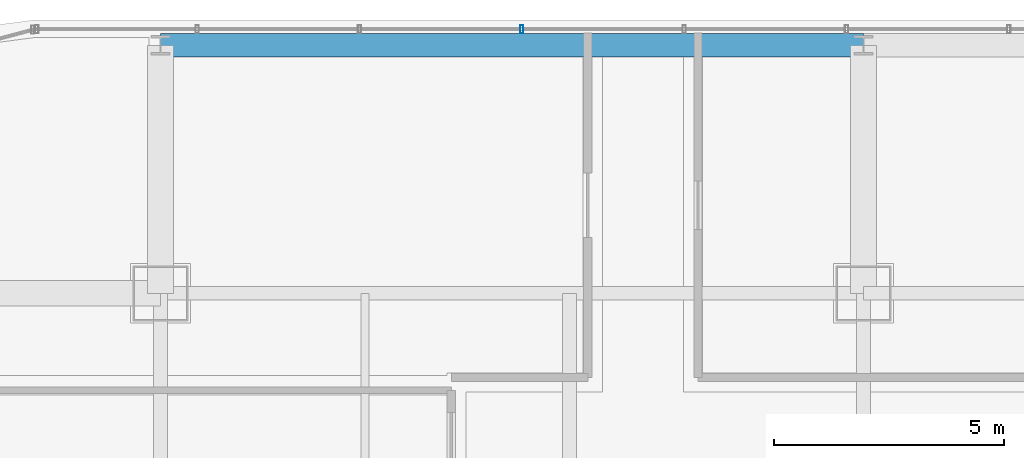
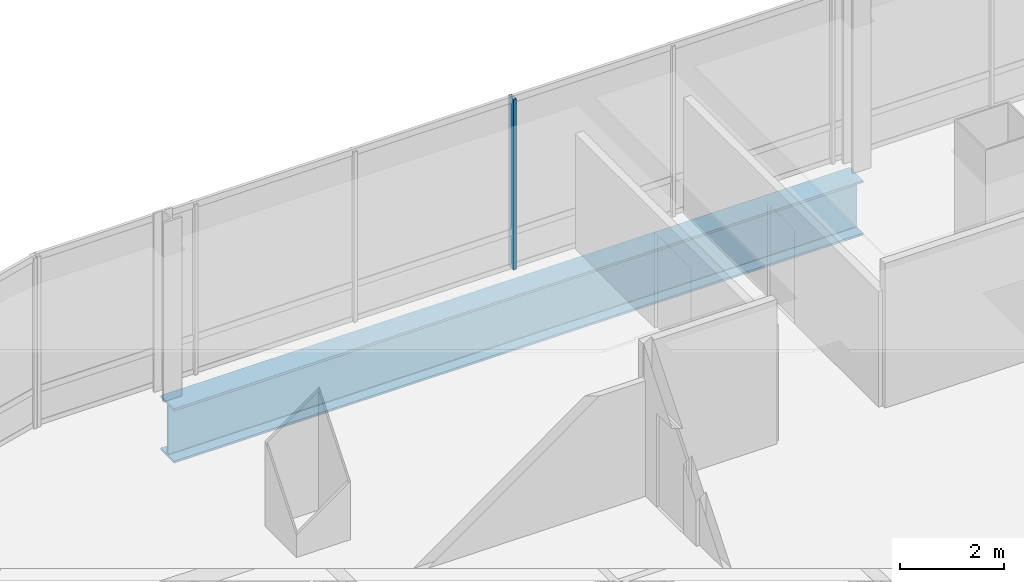
# One storey, part 24 of 41: 1 beam, 1 member, 1 element without a shape of its own.
"""IFC4 building model written with IfcOpenShell, lengths in metres."""

from ifc_helpers import new_model, si_unit, direction, frame, origin, origin_2d, place, context, subcontext, project, spatial, hollow_rectangle, i_section, extrude, material, material_profile, profile_set, type_object, element, aggregate, save


model = new_model("IFC4")

# Units and contexts
model_context = context("Model", 3, precision=1e-05, world=origin(), true_north=direction((0.0, 1.0)))
body_context = subcontext(model_context, "Body", "Model", "MODEL_VIEW")
ifc_project = project(units=[si_unit("LENGTHUNIT", "METRE"), si_unit("AREAUNIT", "SQUARE_METRE"), si_unit("VOLUMEUNIT", "CUBIC_METRE"), si_unit("PLANEANGLEUNIT", "RADIAN"), si_unit("MASSUNIT", "GRAM", prefix="KILO")], contexts=[model_context])

# Site, building, storey
site_placement = place(None, origin())
site = spatial("IfcSite", under=ifc_project, at=site_placement, CompositionType="ELEMENT")
building_placement = place(site_placement, origin())
building = spatial("IfcBuilding", under=site, at=building_placement, Name="Punatoya Terracotta Tower", CompositionType="ELEMENT")
storey_placement = place(building_placement, frame((0.0, 0.0, 292.199951171875)))
storey = spatial("IfcBuildingStorey", under=building, at=storey_placement, Name="L69", CompositionType="ELEMENT", Elevation=292.199951171875)

# Beam
ifc_material_1 = material(Name="Steel S460", Category="steel")
ifc_material_profile_1 = material_profile(ifc_material_1, i_section(OverallWidth=0.52001953125, OverallDepth=1.280029296875, WebThickness=0.031982421875, FlangeThickness=0.050048828125, FilletRadius=0.01806640625, at=origin_2d()))
ifc_profile_set_1 = profile_set([ifc_material_profile_1], Name="Steel S460")
beam_type = type_object("IfcBeamType", Name="BM-TG-NCK", PredefinedType="BEAM", material=ifc_profile_set_1)
beam_placement = place(storey_placement, frame((-19.10009765625, 22.89990234375, -0.83984375), z_axis=(1.0, 0.0, 0.0), x_axis=(0.0, 1.0, 0.0)))
element("IfcBeam", 1, at=beam_placement, inside=storey, type_object=beam_type, Name="BM-L69-PER-N1", PredefinedType="BEAM", context=body_context, shape_type="SweptSolid", body=[
    extrude(i_section(OverallWidth=0.52001953125, OverallDepth=1.280029296875, WebThickness=0.031982421875, FlangeThickness=0.050048828125, FilletRadius=0.01806640625, at=origin_2d()), origin(), (0.0, 0.0, 1.0), 15.300048828125),
])

# Curtain wall, member
ifc_material_2 = material(Name="Aluminium 6063-T6 + Double Low-E Glass", Category="aluminium")
curtain_wall_type = type_object("IfcCurtainWallType", Name="CW-M3", PredefinedType="NOTDEFINED", material=ifc_material_2)
curtain_wall_placement = place(storey_placement, origin())
curtain_wall = element("IfcCurtainWall", 2, at=curtain_wall_placement, inside=storey, type_object=curtain_wall_type, Name="L69 Curtain Wall CW-L69-N09-1", PredefinedType="NOTDEFINED")
ifc_material_3 = material(Name="Aluminium 6063-T6", Category="aluminium")
ifc_material_profile_2 = material_profile(ifc_material_3, hollow_rectangle(XDim=0.070068359375, YDim=0.179931640625, WallThickness=0.00390625, at=origin_2d()))
ifc_profile_set_2 = profile_set([ifc_material_profile_2], Name="Aluminium 6063-T6")
member_type = type_object("IfcMemberType", Name="CW-MUL-M3", PredefinedType="MULLION", material=ifc_profile_set_2)
member_placement = place(storey_placement, frame((-11.235107421875, 23.25, 0.0), z_axis=(0.0, 0.0, 1.0), x_axis=(1.0, 0.0, 0.0)))
member = element("IfcMember", 3, at=member_placement, type_object=member_type, Name="CW-L69-N09-1 Mullion 08", PredefinedType="MULLION", context=body_context, shape_type="SweptSolid", body=[
    extrude(hollow_rectangle(XDim=0.070068359375, YDim=0.179931640625, WallThickness=0.00390625, at=origin_2d()), origin(), (0.0, 0.0, 1.0), 4.0),
])
aggregate(curtain_wall, [member])

save(model, "model.ifc")
